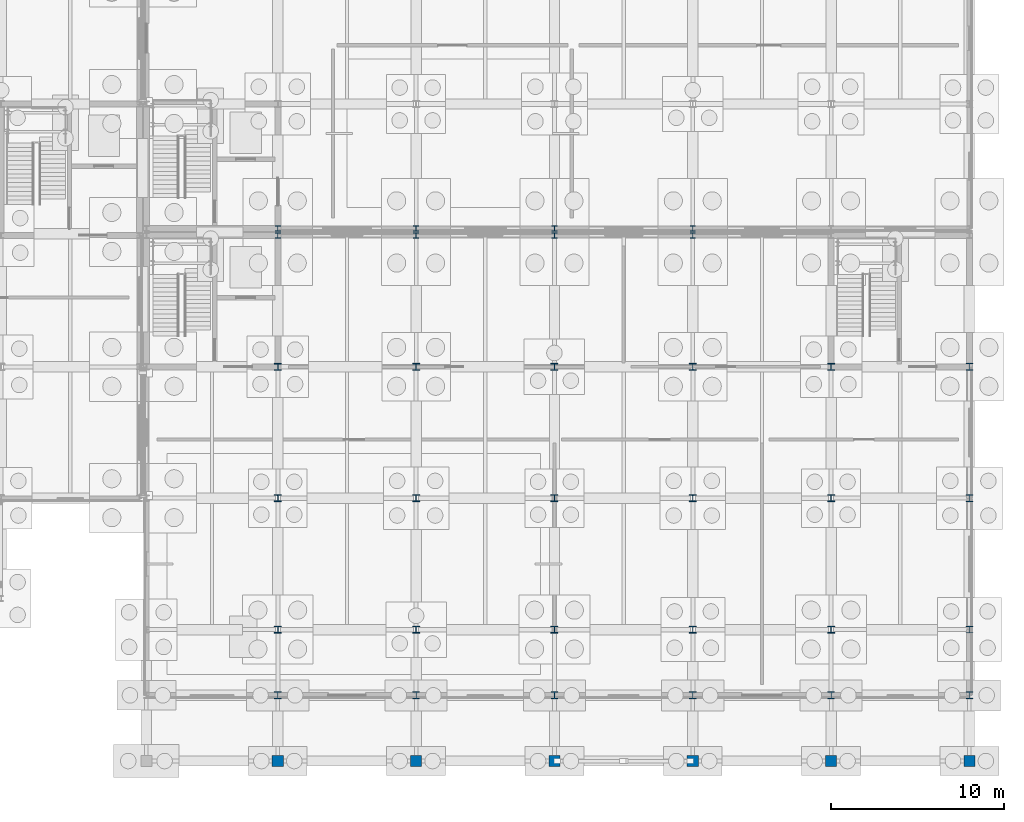
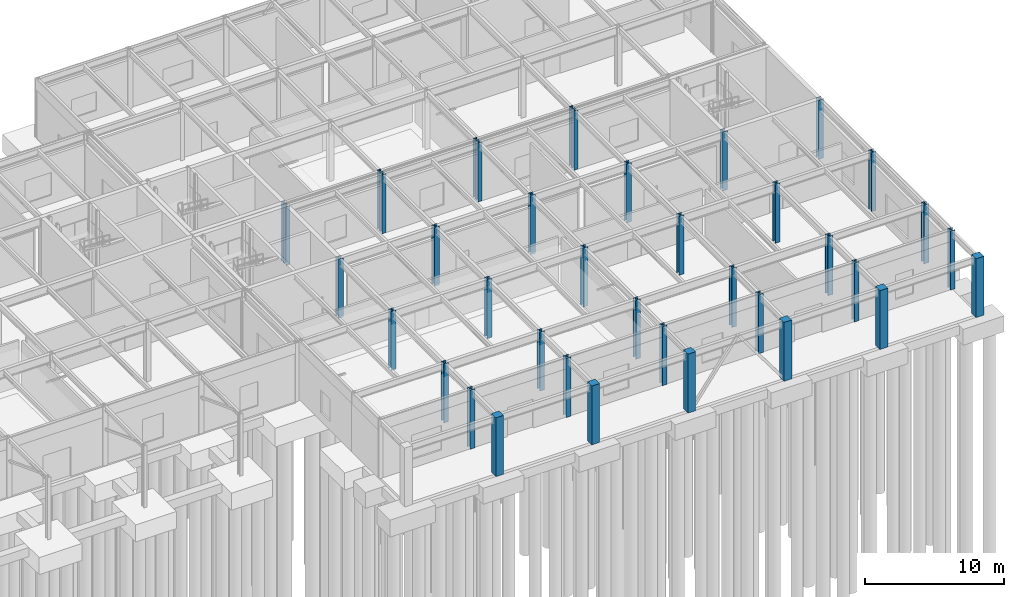
# One storey, part 24 of 62: 38 columns.
"""IFC4 building model written with IfcOpenShell, lengths in metres."""

from ifc_helpers import new_model, si_unit, direction, frame, origin, origin_2d, place, context, subcontext, project, spatial, rectangle, i_section, extrude, material, material_profile, profile_set, type_object, element, save


model = new_model("IFC4")

# Units and contexts
model_context = context("Model", 3, precision=1e-05, world=origin(), true_north=direction((0.0, 1.0)))
body_context = subcontext(model_context, "Body", "Model", "MODEL_VIEW")
ifc_project = project(units=[si_unit("LENGTHUNIT", "METRE"), si_unit("AREAUNIT", "SQUARE_METRE"), si_unit("VOLUMEUNIT", "CUBIC_METRE"), si_unit("PLANEANGLEUNIT", "RADIAN"), si_unit("MASSUNIT", "GRAM", prefix="KILO")], contexts=[model_context])

# Site, building, storey
site_placement = place(None, origin())
site = spatial("IfcSite", under=ifc_project, at=site_placement, CompositionType="ELEMENT")
building_placement = place(site_placement, origin())
building = spatial("IfcBuilding", under=site, at=building_placement, Name="Zulena Civic Courthouse", CompositionType="ELEMENT")
storey_placement = place(building_placement, origin())
storey = spatial("IfcBuildingStorey", under=building, at=storey_placement, Name="L00", CompositionType="ELEMENT", Elevation=0.0)

# Columns
ifc_material_1 = material(Name="Concrete C40/50", Category="concrete")
ifc_material_profile_1 = material_profile(ifc_material_1, rectangle(XDim=0.64990234375, YDim=0.64990234375, at=origin_2d()), Name="RC650X650")
ifc_profile_set_1 = profile_set([ifc_material_profile_1], Name="Concrete C40/50")
column_type_1 = type_object("IfcColumnType", Name="Col_RC650", PredefinedType="COLUMN", material=ifc_profile_set_1)
for number, where, z_axis, x_axis, name in (
    (1, (132.0, 0.0, 0.0), (0.0, 0.0, 1.0), (1.0, 0.0, 0.0), "col:V1:L00:arc:132.0"),
    (2, (140.0, 0.0, 0.0), (0.0, 0.0, 1.0), (1.0, 0.0, 0.0), "col:V1:L00:arc:140.0"),
    (3, (148.0, 0.0, 0.0), (0.0, 0.0, 1.0), (1.0, 0.0, 0.0), "col:V1:L00:arc:148.0"),
    (4, (156.0, 0.0, 0.0), (0.0, 0.0, 1.0), (1.0, 0.0, 0.0), "col:V1:L00:arc:156.0"),
    (5, (164.0, 0.0, 0.0), (0.0, 0.0, 1.0), (1.0, 0.0, 0.0), "col:V1:L00:arc:164.0"),
    (6, (172.0, 0.0, 0.0), (0.0, 0.0, 1.0), (1.0, 0.0, 0.0), "col:V1:L00:arc:172.0"),
):
    element("IfcColumn", number, at=place(storey_placement, frame(where, z_axis=z_axis, x_axis=x_axis)), inside=storey, type_object=column_type_1, Name=name, PredefinedType="COLUMN", context=body_context, shape_type="SweptSolid", body=[
        extrude(rectangle(XDim=0.64990234375, YDim=0.64990234375, at=origin_2d()), origin(), (0.0, 0.0, 1.0), 5.18505859375),
    ])
ifc_material_2 = material(Name="Steel ASTM A992 Grade 50", Category="steel")
ifc_material_profile_2 = material_profile(ifc_material_2, i_section(OverallWidth=0.31298828125, OverallDepth=0.3330078125, WebThickness=0.01806640625, FlangeThickness=0.0283203125, FilletRadius=0.01513671875, at=origin_2d()), Name="W12X120")
ifc_profile_set_2 = profile_set([ifc_material_profile_2], Name="Steel ASTM A992 Grade 50")
column_type_2 = type_object("IfcColumnType", Name="Col_W12X120", PredefinedType="COLUMN", material=ifc_profile_set_2)
for number, where, z_axis, x_axis, name in (
    (7, (132.0, 30.39990234375, 0.0), (0.0, 0.0, 1.0), (1.0, 0.0, 0.0), "col:V1:L00:132.0:30.4"),
    (8, (140.0, 30.39990234375, 0.0), (0.0, 0.0, 1.0), (1.0, 0.0, 0.0), "col:V1:L00:140.0:30.4"),
    (9, (148.0, 30.39990234375, 0.0), (0.0, 0.0, 1.0), (1.0, 0.0, 0.0), "col:V1:L00:148.0:30.4"),
    (10, (156.0, 30.39990234375, 0.0), (0.0, 0.0, 1.0), (1.0, 0.0, 0.0), "col:V1:L00:156.0:30.4"),
    (11, (132.0, 30.800048828125, 0.0), (0.0, 0.0, 1.0), (1.0, 0.0, 0.0), "col:V3:L00:132.0:30.8"),
    (12, (140.0, 30.800048828125, 0.0), (0.0, 0.0, 1.0), (1.0, 0.0, 0.0), "col:V3:L00:140.0:30.8"),
    (13, (148.0, 30.800048828125, 0.0), (0.0, 0.0, 1.0), (1.0, 0.0, 0.0), "col:V3:L00:148.0:30.8"),
    (14, (156.0, 30.800048828125, 0.0), (0.0, 0.0, 1.0), (1.0, 0.0, 0.0), "col:V3:L00:156.0:30.8"),
):
    element("IfcColumn", number, at=place(storey_placement, frame(where, z_axis=z_axis, x_axis=x_axis)), inside=storey, type_object=column_type_2, Name=name, PredefinedType="COLUMN", context=body_context, shape_type="SweptSolid", body=[
        extrude(i_section(OverallWidth=0.31298828125, OverallDepth=0.3330078125, WebThickness=0.01806640625, FlangeThickness=0.0283203125, FilletRadius=0.01513671875, at=origin_2d()), origin(), (0.0, 0.0, 1.0), 5.18505859375),
    ])
ifc_material_profile_3 = material_profile(ifc_material_2, i_section(OverallWidth=0.40087890625, OverallDepth=0.39892578125, WebThickness=0.02490234375, FlangeThickness=0.03955078125, FilletRadius=0.01513671875, at=origin_2d()), Name="W14X211")
ifc_profile_set_3 = profile_set([ifc_material_profile_3], Name="Steel ASTM A992 Grade 50")
column_type_3 = type_object("IfcColumnType", Name="Col_W14X211", PredefinedType="COLUMN", material=ifc_profile_set_3)
for number, where, z_axis, x_axis, name in (
    (15, (132.0, 7.60009765625, 0.0), (0.0, 0.0, 1.0), (1.0, 0.0, 0.0), "col:V1:L00:132.0:7.6"),
    (16, (132.0, 15.199951171875, 0.0), (0.0, 0.0, 1.0), (1.0, 0.0, 0.0), "col:V1:L00:132.0:15.2"),
    (17, (132.0, 22.800048828125, 0.0), (0.0, 0.0, 1.0), (1.0, 0.0, 0.0), "col:V1:L00:132.0:22.8"),
    (18, (140.0, 7.60009765625, 0.0), (0.0, 0.0, 1.0), (1.0, 0.0, 0.0), "col:V1:L00:140.0:7.6"),
    (19, (140.0, 15.199951171875, 0.0), (0.0, 0.0, 1.0), (1.0, 0.0, 0.0), "col:V1:L00:140.0:15.2"),
    (20, (140.0, 22.800048828125, 0.0), (0.0, 0.0, 1.0), (1.0, 0.0, 0.0), "col:V1:L00:140.0:22.8"),
    (21, (148.0, 7.60009765625, 0.0), (0.0, 0.0, 1.0), (1.0, 0.0, 0.0), "col:V1:L00:148.0:7.6"),
    (22, (148.0, 15.199951171875, 0.0), (0.0, 0.0, 1.0), (1.0, 0.0, 0.0), "col:V1:L00:148.0:15.2"),
    (23, (148.0, 22.800048828125, 0.0), (0.0, 0.0, 1.0), (1.0, 0.0, 0.0), "col:V1:L00:148.0:22.8"),
    (24, (156.0, 7.60009765625, 0.0), (0.0, 0.0, 1.0), (1.0, 0.0, 0.0), "col:V1:L00:156.0:7.6"),
    (25, (156.0, 15.199951171875, 0.0), (0.0, 0.0, 1.0), (1.0, 0.0, 0.0), "col:V1:L00:156.0:15.2"),
    (26, (156.0, 22.800048828125, 0.0), (0.0, 0.0, 1.0), (1.0, 0.0, 0.0), "col:V1:L00:156.0:22.8"),
    (27, (164.0, 7.60009765625, 0.0), (0.0, 0.0, 1.0), (1.0, 0.0, 0.0), "col:V1:L00:164.0:7.6"),
    (28, (164.0, 15.199951171875, 0.0), (0.0, 0.0, 1.0), (1.0, 0.0, 0.0), "col:V1:L00:164.0:15.2"),
    (29, (164.0, 22.800048828125, 0.0), (0.0, 0.0, 1.0), (1.0, 0.0, 0.0), "col:V1:L00:164.0:22.8"),
):
    element("IfcColumn", number, at=place(storey_placement, frame(where, z_axis=z_axis, x_axis=x_axis)), inside=storey, type_object=column_type_3, Name=name, PredefinedType="COLUMN", context=body_context, shape_type="SweptSolid", body=[
        extrude(i_section(OverallWidth=0.40087890625, OverallDepth=0.39892578125, WebThickness=0.02490234375, FlangeThickness=0.03955078125, FilletRadius=0.01513671875, at=origin_2d()), origin(), (0.0, 0.0, 1.0), 5.18505859375),
    ])
ifc_material_profile_4 = material_profile(ifc_material_2, i_section(OverallWidth=0.406005859375, OverallDepth=0.416015625, WebThickness=0.02978515625, FlangeThickness=0.048095703125, FilletRadius=0.01513671875, at=origin_2d()), Name="W14X257")
ifc_profile_set_4 = profile_set([ifc_material_profile_4], Name="Steel ASTM A992 Grade 50")
column_type_4 = type_object("IfcColumnType", Name="Col_W14X257", PredefinedType="COLUMN", material=ifc_profile_set_4)
for number, where, z_axis, x_axis, name in (
    (30, (164.0, 3.800048828125, 0.0), (0.0, 0.0, 1.0), (1.0, 0.0, 0.0), "col:V1:L00:164.0:3.8"),
    (31, (172.0, 3.800048828125, 0.0), (0.0, 0.0, 1.0), (1.0, 0.0, 0.0), "col:V1:L00:172.0:3.8"),
    (32, (172.0, 7.60009765625, 0.0), (0.0, 0.0, 1.0), (1.0, 0.0, 0.0), "col:V1:L00:172.0:7.6"),
    (33, (172.0, 15.199951171875, 0.0), (0.0, 0.0, 1.0), (1.0, 0.0, 0.0), "col:V1:L00:172.0:15.2"),
    (34, (172.0, 22.800048828125, 0.0), (0.0, 0.0, 1.0), (1.0, 0.0, 0.0), "col:V1:L00:172.0:22.8"),
):
    element("IfcColumn", number, at=place(storey_placement, frame(where, z_axis=z_axis, x_axis=x_axis)), inside=storey, type_object=column_type_4, Name=name, PredefinedType="COLUMN", context=body_context, shape_type="SweptSolid", body=[
        extrude(i_section(OverallWidth=0.406005859375, OverallDepth=0.416015625, WebThickness=0.02978515625, FlangeThickness=0.048095703125, FilletRadius=0.01513671875, at=origin_2d()), origin(), (0.0, 0.0, 1.0), 5.18505859375),
    ])
ifc_material_profile_5 = material_profile(ifc_material_2, i_section(OverallWidth=0.412109375, OverallDepth=0.43505859375, WebThickness=0.035888671875, FlangeThickness=0.057373046875, FilletRadius=0.01513671875, at=origin_2d()), Name="W14X311")
ifc_profile_set_5 = profile_set([ifc_material_profile_5], Name="Steel ASTM A992 Grade 50")
column_type_5 = type_object("IfcColumnType", Name="Col_W14X311", PredefinedType="COLUMN", material=ifc_profile_set_5)
for number, where, z_axis, x_axis, name in (
    (35, (132.0, 3.800048828125, 0.0), (0.0, 0.0, 1.0), (1.0, 0.0, 0.0), "col:V1:L00:132.0:3.8"),
    (36, (140.0, 3.800048828125, 0.0), (0.0, 0.0, 1.0), (1.0, 0.0, 0.0), "col:V1:L00:140.0:3.8"),
    (37, (148.0, 3.800048828125, 0.0), (0.0, 0.0, 1.0), (1.0, 0.0, 0.0), "col:V1:L00:148.0:3.8"),
    (38, (156.0, 3.800048828125, 0.0), (0.0, 0.0, 1.0), (1.0, 0.0, 0.0), "col:V1:L00:156.0:3.8"),
):
    element("IfcColumn", number, at=place(storey_placement, frame(where, z_axis=z_axis, x_axis=x_axis)), inside=storey, type_object=column_type_5, Name=name, PredefinedType="COLUMN", context=body_context, shape_type="SweptSolid", body=[
        extrude(i_section(OverallWidth=0.412109375, OverallDepth=0.43505859375, WebThickness=0.035888671875, FlangeThickness=0.057373046875, FilletRadius=0.01513671875, at=origin_2d()), origin(), (0.0, 0.0, 1.0), 5.18505859375),
    ])

save(model, "model.ifc")
